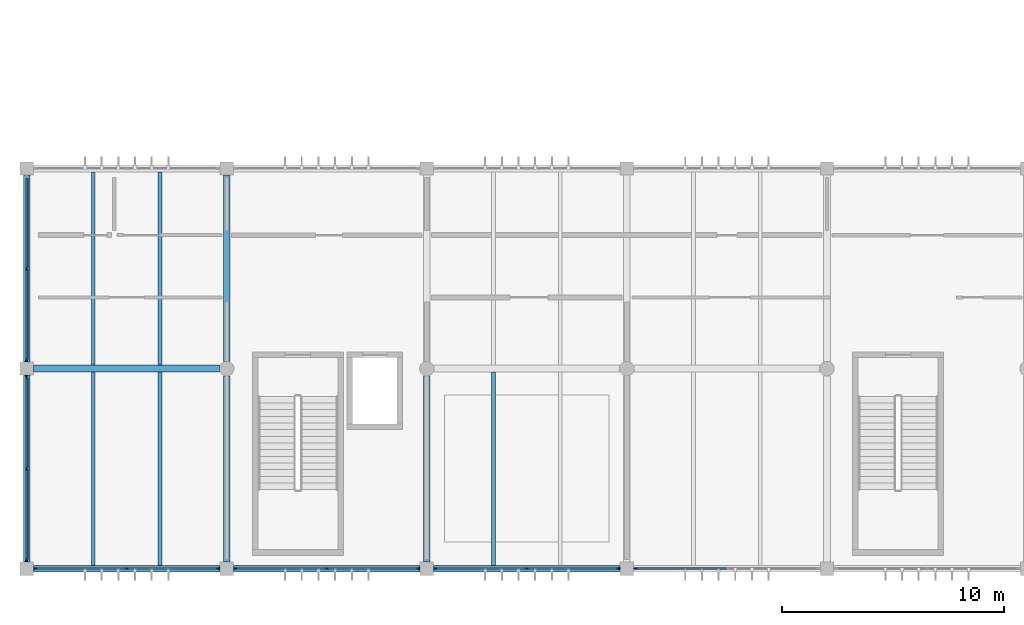
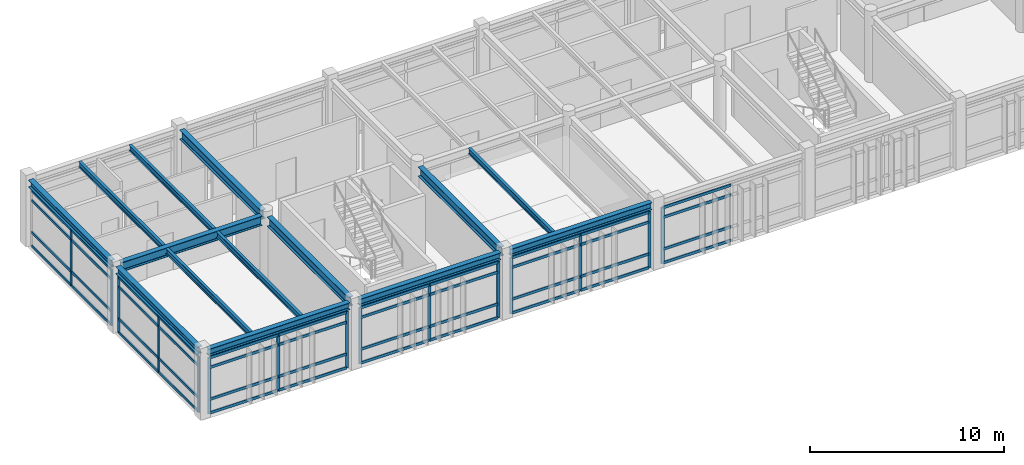
# One storey, part 7 of 55: 59 members, 14 beams, 6 elements without a shape of their own.
"""IFC4 building model written with IfcOpenShell, lengths in metres."""

from ifc_helpers import new_model, si_unit, direction, frame, origin, origin_2d, place, context, subcontext, project, spatial, rectangle, i_section, extrude, material, material_profile, profile_set, type_object, element, aggregate, save


model = new_model("IFC4")

# Units and contexts
model_context = context("Model", 3, precision=1e-05, world=origin(), true_north=direction((0.0, 1.0)))
body_context = subcontext(model_context, "Body", "Model", "MODEL_VIEW")
ifc_project = project(units=[si_unit("LENGTHUNIT", "METRE"), si_unit("AREAUNIT", "SQUARE_METRE"), si_unit("VOLUMEUNIT", "CUBIC_METRE"), si_unit("PLANEANGLEUNIT", "RADIAN"), si_unit("MASSUNIT", "GRAM", prefix="KILO")], contexts=[model_context])

# Site, building, storey
site_placement = place(None, origin())
site = spatial("IfcSite", under=ifc_project, at=site_placement, CompositionType="ELEMENT")
building_placement = place(site_placement, origin())
building = spatial("IfcBuilding", under=site, at=building_placement, Name="Bozkorgan Art Gallery", CompositionType="ELEMENT")
storey_placement = place(building_placement, frame((0.0, 0.0, 15.0)))
storey = spatial("IfcBuildingStorey", under=building, at=storey_placement, Name="L03", CompositionType="ELEMENT", Elevation=15.0)

# Beams
ifc_material_1 = material(Name="Steel S355J2", Category="steel")
ifc_material_profile_1 = material_profile(ifc_material_1, i_section(OverallWidth=0.300048828125, OverallDepth=0.590087890625, WebThickness=0.012939453125, FlangeThickness=0.02490234375, FilletRadius=0.027099609375, at=origin_2d()), Name="HEA 600")
ifc_profile_set_1 = profile_set([ifc_material_profile_1], Name="Steel S355J2")
beam_type_1 = type_object("IfcBeamType", Name="BEAM-BM-49", PredefinedType="BEAM", material=ifc_profile_set_1)
for number, where, z_axis, x_axis, name in (
    (1, (2.300048828125, 11.0, 3.885009765625), (1.0, 0.0, 0.0), (0.0, 1.0, 0.0), "V1 L03 beam X (2-11, 11.0)"),
    (2, (11.0, 2.300048828125, 3.885009765625), (0.0, 1.0, 0.0), (-1.0, 0.0, 0.0), "V1 L03 beam Y (11, 2.0-11.0)"),
    (3, (11.0, 11.324951171875, 3.885009765625), (0.0, 1.0, 0.0), (-1.0, 0.0, 0.0), "V1 L03 beam Y (11, 11.0-20.0)"),
    (4, (20.0, 2.300048828125, 3.885009765625), (0.0, 1.0, 0.0), (-1.0, 0.0, 0.0), "V1 L03 beam Y (20, 2.0-11.0)"),
):
    element("IfcBeam", number, at=place(storey_placement, frame(where, z_axis=z_axis, x_axis=x_axis)), inside=storey, type_object=beam_type_1, Name=name, PredefinedType="BEAM", context=body_context, shape_type="SweptSolid", body=[
        extrude(i_section(OverallWidth=0.300048828125, OverallDepth=0.590087890625, WebThickness=0.012939453125, FlangeThickness=0.02490234375, FilletRadius=0.027099609375, at=origin_2d()), origin(), (0.0, 0.0, 1.0), 8.375),
    ])
ifc_material_profile_2 = material_profile(ifc_material_1, i_section(OverallWidth=0.169921875, OverallDepth=0.360107421875, WebThickness=0.008056640625, FlangeThickness=0.0126953125, FilletRadius=0.01806640625, at=origin_2d()), Name="IPE 360")
ifc_profile_set_2 = profile_set([ifc_material_profile_2], Name="Steel S355J2")
beam_type_2 = type_object("IfcBeamType", Name="BEAM-JS-98", PredefinedType="JOIST", material=ifc_profile_set_2)
for number, where, z_axis, x_axis, name in (
    (5, (5.0, 2.14990234375, 4.0), (0.0, 1.0, 0.0), (-1.0, 0.0, 0.0), "V1 L03 secondary joist (2-11, 2.0-11.0) #1"),
    (6, (8.0, 2.14990234375, 4.0), (0.0, 1.0, 0.0), (-1.0, 0.0, 0.0), "V1 L03 secondary joist (2-11, 2.0-11.0) #2"),
    (7, (5.0, 11.14990234375, 4.0), (0.0, 1.0, 0.0), (-1.0, 0.0, 0.0), "V1 L03 secondary joist (2-11, 11.0-20.0) #1"),
    (8, (8.0, 11.14990234375, 4.0), (0.0, 1.0, 0.0), (-1.0, 0.0, 0.0), "V1 L03 secondary joist (2-11, 11.0-20.0) #2"),
    (9, (23.0, 2.14990234375, 4.0), (0.0, 1.0, 0.0), (-1.0, 0.0, 0.0), "V1 L03 secondary joist (20-29, 2.0-11.0) #1"),
):
    element("IfcBeam", number, at=place(storey_placement, frame(where, z_axis=z_axis, x_axis=x_axis)), inside=storey, type_object=beam_type_2, Name=name, PredefinedType="JOIST", context=body_context, shape_type="SweptSolid", body=[
        extrude(i_section(OverallWidth=0.169921875, OverallDepth=0.360107421875, WebThickness=0.008056640625, FlangeThickness=0.0126953125, FilletRadius=0.01806640625, at=origin_2d()), origin(), (0.0, 0.0, 1.0), 8.7001953125),
    ])
ifc_material_profile_3 = material_profile(ifc_material_1, i_section(OverallWidth=0.300048828125, OverallDepth=0.43994140625, WebThickness=0.011474609375, FlangeThickness=0.02099609375, FilletRadius=0.027099609375, at=origin_2d()), Name="HEA 450")
ifc_profile_set_3 = profile_set([ifc_material_profile_3], Name="Steel S355J2")
beam_type_3 = type_object("IfcBeamType", Name="BEAM-SP-34", PredefinedType="SPANDREL", material=ifc_profile_set_3)
for number, where, z_axis, x_axis, name in (
    (10, (2.300048828125, 2.0, 3.9599609375), (1.0, 0.0, 0.0), (0.0, 1.0, 0.0), "V1 L03 spandrel X (2-11, 2.0)"),
    (11, (11.300048828125, 2.0, 3.9599609375), (1.0, 0.0, 0.0), (0.0, 1.0, 0.0), "V1 L03 spandrel X (11-20, 2.0)"),
    (12, (20.300048828125, 2.0, 3.9599609375), (1.0, 0.0, 0.0), (0.0, 1.0, 0.0), "V1 L03 spandrel X (20-29, 2.0)"),
    (13, (2.0, 2.300048828125, 3.9599609375), (0.0, 1.0, 0.0), (-1.0, 0.0, 0.0), "V1 L03 spandrel Y (2, 2.0-11.0)"),
    (14, (2.0, 11.300048828125, 3.9599609375), (0.0, 1.0, 0.0), (-1.0, 0.0, 0.0), "V1 L03 spandrel Y (2, 11.0-20.0)"),
):
    element("IfcBeam", number, at=place(storey_placement, frame(where, z_axis=z_axis, x_axis=x_axis)), inside=storey, type_object=beam_type_3, Name=name, PredefinedType="SPANDREL", context=body_context, shape_type="SweptSolid", body=[
        extrude(i_section(OverallWidth=0.300048828125, OverallDepth=0.43994140625, WebThickness=0.011474609375, FlangeThickness=0.02099609375, FilletRadius=0.027099609375, at=origin_2d()), origin(), (0.0, 0.0, 1.0), 8.39990234375),
    ])

# Curtain wall, members
ifc_material_2 = material(Name="Anodised Bronze Aluminium", Category="aluminium")
curtain_wall_type = type_object("IfcCurtainWallType", Name="CW-CW-42", PredefinedType="NOTDEFINED", material=ifc_material_2)
curtain_wall_1_placement = place(storey_placement, origin())
curtain_wall_1 = element("IfcCurtainWall", 15, at=curtain_wall_1_placement, inside=storey, type_object=curtain_wall_type, Name="L03 unitised curtain wall CW-V1-L03-1S-01", PredefinedType="NOTDEFINED")
ifc_material_profile_4 = material_profile(ifc_material_2, rectangle(XDim=0.06494140625, YDim=0.179931640625, at=origin_2d()), Name="ALU MULLION 65x180")
ifc_profile_set_4 = profile_set([ifc_material_profile_4], Name="Anodised Bronze Aluminium")
member_type_1 = type_object("IfcMemberType", Name="CWM-01", PredefinedType="MULLION", material=ifc_profile_set_4)
member_1_placement = place(storey_placement, frame((2.3974609375, 2.0, 0.02001953125), z_axis=(0.0, 0.0, 1.0), x_axis=(0.0, 1.0, 0.0)))
member_1 = element("IfcMember", 16, at=member_1_placement, type_object=member_type_1, Name="CW-42 mullion 1", PredefinedType="MULLION", context=body_context, shape_type="SweptSolid", body=[
    extrude(rectangle(XDim=0.06494140625, YDim=0.179931640625, at=origin_2d()), origin(), (0.0, 0.0, 1.0), 3.554931640625),
])
member_2_placement = place(storey_placement, frame((6.5, 2.0, 0.02001953125), z_axis=(0.0, 0.0, 1.0), x_axis=(0.0, 1.0, 0.0)))
member_2 = element("IfcMember", 17, at=member_2_placement, type_object=member_type_1, Name="CW-42 mullion 2", PredefinedType="MULLION", context=body_context, shape_type="SweptSolid", body=[
    extrude(rectangle(XDim=0.06494140625, YDim=0.179931640625, at=origin_2d()), origin(), (0.0, 0.0, 1.0), 3.554931640625),
])
member_3_placement = place(storey_placement, frame((10.6025390625, 2.0, 0.02001953125), z_axis=(0.0, 0.0, 1.0), x_axis=(0.0, 1.0, 0.0)))
member_3 = element("IfcMember", 18, at=member_3_placement, type_object=member_type_1, Name="CW-42 mullion 3", PredefinedType="MULLION", context=body_context, shape_type="SweptSolid", body=[
    extrude(rectangle(XDim=0.06494140625, YDim=0.179931640625, at=origin_2d()), origin(), (0.0, 0.0, 1.0), 3.554931640625),
])

curtain_wall_2_placement = place(storey_placement, origin())
curtain_wall_2 = element("IfcCurtainWall", 19, at=curtain_wall_2_placement, inside=storey, type_object=curtain_wall_type, Name="L03 unitised curtain wall CW-V1-L03-1S-03", PredefinedType="NOTDEFINED")
member_4_placement = place(storey_placement, frame((11.3974609375, 2.0, 0.02001953125), z_axis=(0.0, 0.0, 1.0), x_axis=(0.0, 1.0, 0.0)))
member_4 = element("IfcMember", 20, at=member_4_placement, type_object=member_type_1, Name="CW-42 mullion 1", PredefinedType="MULLION", context=body_context, shape_type="SweptSolid", body=[
    extrude(rectangle(XDim=0.06494140625, YDim=0.179931640625, at=origin_2d()), origin(), (0.0, 0.0, 1.0), 3.554931640625),
])
member_5_placement = place(storey_placement, frame((15.5, 2.0, 0.02001953125), z_axis=(0.0, 0.0, 1.0), x_axis=(0.0, 1.0, 0.0)))
member_5 = element("IfcMember", 21, at=member_5_placement, type_object=member_type_1, Name="CW-42 mullion 2", PredefinedType="MULLION", context=body_context, shape_type="SweptSolid", body=[
    extrude(rectangle(XDim=0.06494140625, YDim=0.179931640625, at=origin_2d()), origin(), (0.0, 0.0, 1.0), 3.554931640625),
])
member_6_placement = place(storey_placement, frame((19.6025390625, 2.0, 0.02001953125), z_axis=(0.0, 0.0, 1.0), x_axis=(0.0, 1.0, 0.0)))
member_6 = element("IfcMember", 22, at=member_6_placement, type_object=member_type_1, Name="CW-42 mullion 3", PredefinedType="MULLION", context=body_context, shape_type="SweptSolid", body=[
    extrude(rectangle(XDim=0.06494140625, YDim=0.179931640625, at=origin_2d()), origin(), (0.0, 0.0, 1.0), 3.554931640625),
])

curtain_wall_3_placement = place(storey_placement, origin())
curtain_wall_3 = element("IfcCurtainWall", 23, at=curtain_wall_3_placement, inside=storey, type_object=curtain_wall_type, Name="L03 unitised curtain wall CW-V1-L03-1S-05", PredefinedType="NOTDEFINED")
member_7_placement = place(storey_placement, frame((20.3974609375, 2.0, 0.02001953125), z_axis=(0.0, 0.0, 1.0), x_axis=(0.0, 1.0, 0.0)))
member_7 = element("IfcMember", 24, at=member_7_placement, type_object=member_type_1, Name="CW-42 mullion 1", PredefinedType="MULLION", context=body_context, shape_type="SweptSolid", body=[
    extrude(rectangle(XDim=0.06494140625, YDim=0.179931640625, at=origin_2d()), origin(), (0.0, 0.0, 1.0), 3.554931640625),
])
member_8_placement = place(storey_placement, frame((24.5, 2.0, 0.02001953125), z_axis=(0.0, 0.0, 1.0), x_axis=(0.0, 1.0, 0.0)))
member_8 = element("IfcMember", 25, at=member_8_placement, type_object=member_type_1, Name="CW-42 mullion 2", PredefinedType="MULLION", context=body_context, shape_type="SweptSolid", body=[
    extrude(rectangle(XDim=0.06494140625, YDim=0.179931640625, at=origin_2d()), origin(), (0.0, 0.0, 1.0), 3.554931640625),
])
member_9_placement = place(storey_placement, frame((28.6025390625, 2.0, 0.02001953125), z_axis=(0.0, 0.0, 1.0), x_axis=(0.0, 1.0, 0.0)))
member_9 = element("IfcMember", 26, at=member_9_placement, type_object=member_type_1, Name="CW-42 mullion 3", PredefinedType="MULLION", context=body_context, shape_type="SweptSolid", body=[
    extrude(rectangle(XDim=0.06494140625, YDim=0.179931640625, at=origin_2d()), origin(), (0.0, 0.0, 1.0), 3.554931640625),
])

# Curtain wall, member
curtain_wall_4_placement = place(storey_placement, origin())
curtain_wall_4 = element("IfcCurtainWall", 27, at=curtain_wall_4_placement, inside=storey, type_object=curtain_wall_type, Name="L03 unitised curtain wall CW-V1-L03-1S-07", PredefinedType="NOTDEFINED")
member_10_placement = place(storey_placement, frame((29.3974609375, 2.0, 0.02001953125), z_axis=(0.0, 0.0, 1.0), x_axis=(0.0, 1.0, 0.0)))
member_10 = element("IfcMember", 28, at=member_10_placement, type_object=member_type_1, Name="CW-42 mullion 1", PredefinedType="MULLION", context=body_context, shape_type="SweptSolid", body=[
    extrude(rectangle(XDim=0.06494140625, YDim=0.179931640625, at=origin_2d()), origin(), (0.0, 0.0, 1.0), 3.554931640625),
])

# Curtain wall, members
curtain_wall_5_placement = place(storey_placement, origin())
curtain_wall_5 = element("IfcCurtainWall", 29, at=curtain_wall_5_placement, inside=storey, type_object=curtain_wall_type, Name="L03 unitised curtain wall CW-V1-L03-1W-15", PredefinedType="NOTDEFINED")
member_11_placement = place(storey_placement, frame((2.0, 2.3974609375, 0.02001953125), z_axis=(0.0, 0.0, 1.0), x_axis=(-1.0, 0.0, 0.0)))
member_11 = element("IfcMember", 30, at=member_11_placement, type_object=member_type_1, Name="CW-42 mullion 1", PredefinedType="MULLION", context=body_context, shape_type="SweptSolid", body=[
    extrude(rectangle(XDim=0.06494140625, YDim=0.179931640625, at=origin_2d()), origin(), (0.0, 0.0, 1.0), 3.554931640625),
])
member_12_placement = place(storey_placement, frame((2.0, 6.5, 0.02001953125), z_axis=(0.0, 0.0, 1.0), x_axis=(-1.0, 0.0, 0.0)))
member_12 = element("IfcMember", 31, at=member_12_placement, type_object=member_type_1, Name="CW-42 mullion 2", PredefinedType="MULLION", context=body_context, shape_type="SweptSolid", body=[
    extrude(rectangle(XDim=0.06494140625, YDim=0.179931640625, at=origin_2d()), origin(), (0.0, 0.0, 1.0), 3.554931640625),
])
member_13_placement = place(storey_placement, frame((2.0, 10.6025390625, 0.02001953125), z_axis=(0.0, 0.0, 1.0), x_axis=(-1.0, 0.0, 0.0)))
member_13 = element("IfcMember", 32, at=member_13_placement, type_object=member_type_1, Name="CW-42 mullion 3", PredefinedType="MULLION", context=body_context, shape_type="SweptSolid", body=[
    extrude(rectangle(XDim=0.06494140625, YDim=0.179931640625, at=origin_2d()), origin(), (0.0, 0.0, 1.0), 3.554931640625),
])

curtain_wall_6_placement = place(storey_placement, origin())
curtain_wall_6 = element("IfcCurtainWall", 33, at=curtain_wall_6_placement, inside=storey, type_object=curtain_wall_type, Name="L03 unitised curtain wall CW-V1-L03-1W-17", PredefinedType="NOTDEFINED")
member_14_placement = place(storey_placement, frame((2.0, 11.3974609375, 0.02001953125), z_axis=(0.0, 0.0, 1.0), x_axis=(-1.0, 0.0, 0.0)))
member_14 = element("IfcMember", 34, at=member_14_placement, type_object=member_type_1, Name="CW-42 mullion 1", PredefinedType="MULLION", context=body_context, shape_type="SweptSolid", body=[
    extrude(rectangle(XDim=0.06494140625, YDim=0.179931640625, at=origin_2d()), origin(), (0.0, 0.0, 1.0), 3.554931640625),
])
member_15_placement = place(storey_placement, frame((2.0, 15.5, 0.02001953125), z_axis=(0.0, 0.0, 1.0), x_axis=(-1.0, 0.0, 0.0)))
member_15 = element("IfcMember", 35, at=member_15_placement, type_object=member_type_1, Name="CW-42 mullion 2", PredefinedType="MULLION", context=body_context, shape_type="SweptSolid", body=[
    extrude(rectangle(XDim=0.06494140625, YDim=0.179931640625, at=origin_2d()), origin(), (0.0, 0.0, 1.0), 3.554931640625),
])

# Member
ifc_material_profile_5 = material_profile(ifc_material_2, rectangle(XDim=0.074951171875, YDim=0.169921875, at=origin_2d()), Name="ALU TRANSOM 75x170")
ifc_profile_set_5 = profile_set([ifc_material_profile_5], Name="Anodised Bronze Aluminium")
member_type_2 = type_object("IfcMemberType", Name="CWT-02", PredefinedType="USERDEFINED", material=ifc_profile_set_5)
member_16_placement = place(storey_placement, frame((2.429931640625, 2.0, 0.0576171875), z_axis=(1.0, 0.0, 0.0), x_axis=(0.0, 1.0, 0.0)))
member_16 = element("IfcMember", 36, at=member_16_placement, type_object=member_type_2, Name="CW-42 transom 1.1", ObjectType="TRANSOM", PredefinedType="USERDEFINED", context=body_context, shape_type="SweptSolid", body=[
    extrude(rectangle(XDim=0.074951171875, YDim=0.169921875, at=origin_2d()), origin(), (0.0, 0.0, 1.0), 4.03759765625),
])

member_17_placement = place(storey_placement, frame((2.429931640625, 2.0, 0.919921875), z_axis=(1.0, 0.0, 0.0), x_axis=(0.0, 1.0, 0.0)))
member_17 = element("IfcMember", 37, at=member_17_placement, type_object=member_type_2, Name="CW-42 transom 1.2", ObjectType="TRANSOM", PredefinedType="USERDEFINED", context=body_context, shape_type="SweptSolid", body=[
    extrude(rectangle(XDim=0.074951171875, YDim=0.169921875, at=origin_2d()), origin(), (0.0, 0.0, 1.0), 4.03759765625),
])

member_18_placement = place(storey_placement, frame((2.429931640625, 2.0, 2.925048828125), z_axis=(1.0, 0.0, 0.0), x_axis=(0.0, 1.0, 0.0)))
member_18 = element("IfcMember", 38, at=member_18_placement, type_object=member_type_2, Name="CW-42 transom 1.3", ObjectType="TRANSOM", PredefinedType="USERDEFINED", context=body_context, shape_type="SweptSolid", body=[
    extrude(rectangle(XDim=0.074951171875, YDim=0.169921875, at=origin_2d()), origin(), (0.0, 0.0, 1.0), 4.03759765625),
])

member_19_placement = place(storey_placement, frame((2.429931640625, 2.0, 3.53759765625), z_axis=(1.0, 0.0, 0.0), x_axis=(0.0, 1.0, 0.0)))
member_19 = element("IfcMember", 39, at=member_19_placement, type_object=member_type_2, Name="CW-42 transom 1.4", ObjectType="TRANSOM", PredefinedType="USERDEFINED", context=body_context, shape_type="SweptSolid", body=[
    extrude(rectangle(XDim=0.074951171875, YDim=0.169921875, at=origin_2d()), origin(), (0.0, 0.0, 1.0), 4.03759765625),
])

member_20_placement = place(storey_placement, frame((6.532470703125, 2.0, 0.0576171875), z_axis=(1.0, 0.0, 0.0), x_axis=(0.0, 1.0, 0.0)))
member_20 = element("IfcMember", 40, at=member_20_placement, type_object=member_type_2, Name="CW-42 transom 2.1", ObjectType="TRANSOM", PredefinedType="USERDEFINED", context=body_context, shape_type="SweptSolid", body=[
    extrude(rectangle(XDim=0.074951171875, YDim=0.169921875, at=origin_2d()), origin(), (0.0, 0.0, 1.0), 4.03759765625),
])

member_21_placement = place(storey_placement, frame((6.532470703125, 2.0, 0.919921875), z_axis=(1.0, 0.0, 0.0), x_axis=(0.0, 1.0, 0.0)))
member_21 = element("IfcMember", 41, at=member_21_placement, type_object=member_type_2, Name="CW-42 transom 2.2", ObjectType="TRANSOM", PredefinedType="USERDEFINED", context=body_context, shape_type="SweptSolid", body=[
    extrude(rectangle(XDim=0.074951171875, YDim=0.169921875, at=origin_2d()), origin(), (0.0, 0.0, 1.0), 4.03759765625),
])

member_22_placement = place(storey_placement, frame((6.532470703125, 2.0, 2.925048828125), z_axis=(1.0, 0.0, 0.0), x_axis=(0.0, 1.0, 0.0)))
member_22 = element("IfcMember", 42, at=member_22_placement, type_object=member_type_2, Name="CW-42 transom 2.3", ObjectType="TRANSOM", PredefinedType="USERDEFINED", context=body_context, shape_type="SweptSolid", body=[
    extrude(rectangle(XDim=0.074951171875, YDim=0.169921875, at=origin_2d()), origin(), (0.0, 0.0, 1.0), 4.03759765625),
])

member_23_placement = place(storey_placement, frame((6.532470703125, 2.0, 3.53759765625), z_axis=(1.0, 0.0, 0.0), x_axis=(0.0, 1.0, 0.0)))
member_23 = element("IfcMember", 43, at=member_23_placement, type_object=member_type_2, Name="CW-42 transom 2.4", ObjectType="TRANSOM", PredefinedType="USERDEFINED", context=body_context, shape_type="SweptSolid", body=[
    extrude(rectangle(XDim=0.074951171875, YDim=0.169921875, at=origin_2d()), origin(), (0.0, 0.0, 1.0), 4.03759765625),
])

aggregate(curtain_wall_1, [member_1, member_2, member_3, member_16, member_17, member_18, member_19, member_20, member_21, member_22, member_23])

member_24_placement = place(storey_placement, frame((11.429931640625, 2.0, 0.0576171875), z_axis=(1.0, 0.0, 0.0), x_axis=(0.0, 1.0, 0.0)))
member_24 = element("IfcMember", 44, at=member_24_placement, type_object=member_type_2, Name="CW-42 transom 1.1", ObjectType="TRANSOM", PredefinedType="USERDEFINED", context=body_context, shape_type="SweptSolid", body=[
    extrude(rectangle(XDim=0.074951171875, YDim=0.169921875, at=origin_2d()), origin(), (0.0, 0.0, 1.0), 4.03759765625),
])

member_25_placement = place(storey_placement, frame((11.429931640625, 2.0, 0.919921875), z_axis=(1.0, 0.0, 0.0), x_axis=(0.0, 1.0, 0.0)))
member_25 = element("IfcMember", 45, at=member_25_placement, type_object=member_type_2, Name="CW-42 transom 1.2", ObjectType="TRANSOM", PredefinedType="USERDEFINED", context=body_context, shape_type="SweptSolid", body=[
    extrude(rectangle(XDim=0.074951171875, YDim=0.169921875, at=origin_2d()), origin(), (0.0, 0.0, 1.0), 4.03759765625),
])

member_26_placement = place(storey_placement, frame((11.429931640625, 2.0, 2.925048828125), z_axis=(1.0, 0.0, 0.0), x_axis=(0.0, 1.0, 0.0)))
member_26 = element("IfcMember", 46, at=member_26_placement, type_object=member_type_2, Name="CW-42 transom 1.3", ObjectType="TRANSOM", PredefinedType="USERDEFINED", context=body_context, shape_type="SweptSolid", body=[
    extrude(rectangle(XDim=0.074951171875, YDim=0.169921875, at=origin_2d()), origin(), (0.0, 0.0, 1.0), 4.03759765625),
])

member_27_placement = place(storey_placement, frame((11.429931640625, 2.0, 3.53759765625), z_axis=(1.0, 0.0, 0.0), x_axis=(0.0, 1.0, 0.0)))
member_27 = element("IfcMember", 47, at=member_27_placement, type_object=member_type_2, Name="CW-42 transom 1.4", ObjectType="TRANSOM", PredefinedType="USERDEFINED", context=body_context, shape_type="SweptSolid", body=[
    extrude(rectangle(XDim=0.074951171875, YDim=0.169921875, at=origin_2d()), origin(), (0.0, 0.0, 1.0), 4.03759765625),
])

member_28_placement = place(storey_placement, frame((15.532470703125, 2.0, 0.0576171875), z_axis=(1.0, 0.0, 0.0), x_axis=(0.0, 1.0, 0.0)))
member_28 = element("IfcMember", 48, at=member_28_placement, type_object=member_type_2, Name="CW-42 transom 2.1", ObjectType="TRANSOM", PredefinedType="USERDEFINED", context=body_context, shape_type="SweptSolid", body=[
    extrude(rectangle(XDim=0.074951171875, YDim=0.169921875, at=origin_2d()), origin(), (0.0, 0.0, 1.0), 4.03759765625),
])

member_29_placement = place(storey_placement, frame((15.532470703125, 2.0, 0.919921875), z_axis=(1.0, 0.0, 0.0), x_axis=(0.0, 1.0, 0.0)))
member_29 = element("IfcMember", 49, at=member_29_placement, type_object=member_type_2, Name="CW-42 transom 2.2", ObjectType="TRANSOM", PredefinedType="USERDEFINED", context=body_context, shape_type="SweptSolid", body=[
    extrude(rectangle(XDim=0.074951171875, YDim=0.169921875, at=origin_2d()), origin(), (0.0, 0.0, 1.0), 4.03759765625),
])

member_30_placement = place(storey_placement, frame((15.532470703125, 2.0, 2.925048828125), z_axis=(1.0, 0.0, 0.0), x_axis=(0.0, 1.0, 0.0)))
member_30 = element("IfcMember", 50, at=member_30_placement, type_object=member_type_2, Name="CW-42 transom 2.3", ObjectType="TRANSOM", PredefinedType="USERDEFINED", context=body_context, shape_type="SweptSolid", body=[
    extrude(rectangle(XDim=0.074951171875, YDim=0.169921875, at=origin_2d()), origin(), (0.0, 0.0, 1.0), 4.03759765625),
])

member_31_placement = place(storey_placement, frame((15.532470703125, 2.0, 3.53759765625), z_axis=(1.0, 0.0, 0.0), x_axis=(0.0, 1.0, 0.0)))
member_31 = element("IfcMember", 51, at=member_31_placement, type_object=member_type_2, Name="CW-42 transom 2.4", ObjectType="TRANSOM", PredefinedType="USERDEFINED", context=body_context, shape_type="SweptSolid", body=[
    extrude(rectangle(XDim=0.074951171875, YDim=0.169921875, at=origin_2d()), origin(), (0.0, 0.0, 1.0), 4.03759765625),
])

aggregate(curtain_wall_2, [member_4, member_5, member_6, member_24, member_25, member_26, member_27, member_28, member_29, member_30, member_31])

member_32_placement = place(storey_placement, frame((20.429931640625, 2.0, 0.0576171875), z_axis=(1.0, 0.0, 0.0), x_axis=(0.0, 1.0, 0.0)))
member_32 = element("IfcMember", 52, at=member_32_placement, type_object=member_type_2, Name="CW-42 transom 1.1", ObjectType="TRANSOM", PredefinedType="USERDEFINED", context=body_context, shape_type="SweptSolid", body=[
    extrude(rectangle(XDim=0.074951171875, YDim=0.169921875, at=origin_2d()), origin(), (0.0, 0.0, 1.0), 4.03759765625),
])

member_33_placement = place(storey_placement, frame((20.429931640625, 2.0, 0.919921875), z_axis=(1.0, 0.0, 0.0), x_axis=(0.0, 1.0, 0.0)))
member_33 = element("IfcMember", 53, at=member_33_placement, type_object=member_type_2, Name="CW-42 transom 1.2", ObjectType="TRANSOM", PredefinedType="USERDEFINED", context=body_context, shape_type="SweptSolid", body=[
    extrude(rectangle(XDim=0.074951171875, YDim=0.169921875, at=origin_2d()), origin(), (0.0, 0.0, 1.0), 4.03759765625),
])

member_34_placement = place(storey_placement, frame((20.429931640625, 2.0, 2.925048828125), z_axis=(1.0, 0.0, 0.0), x_axis=(0.0, 1.0, 0.0)))
member_34 = element("IfcMember", 54, at=member_34_placement, type_object=member_type_2, Name="CW-42 transom 1.3", ObjectType="TRANSOM", PredefinedType="USERDEFINED", context=body_context, shape_type="SweptSolid", body=[
    extrude(rectangle(XDim=0.074951171875, YDim=0.169921875, at=origin_2d()), origin(), (0.0, 0.0, 1.0), 4.03759765625),
])

member_35_placement = place(storey_placement, frame((20.429931640625, 2.0, 3.53759765625), z_axis=(1.0, 0.0, 0.0), x_axis=(0.0, 1.0, 0.0)))
member_35 = element("IfcMember", 55, at=member_35_placement, type_object=member_type_2, Name="CW-42 transom 1.4", ObjectType="TRANSOM", PredefinedType="USERDEFINED", context=body_context, shape_type="SweptSolid", body=[
    extrude(rectangle(XDim=0.074951171875, YDim=0.169921875, at=origin_2d()), origin(), (0.0, 0.0, 1.0), 4.03759765625),
])

member_36_placement = place(storey_placement, frame((24.532470703125, 2.0, 0.0576171875), z_axis=(1.0, 0.0, 0.0), x_axis=(0.0, 1.0, 0.0)))
member_36 = element("IfcMember", 56, at=member_36_placement, type_object=member_type_2, Name="CW-42 transom 2.1", ObjectType="TRANSOM", PredefinedType="USERDEFINED", context=body_context, shape_type="SweptSolid", body=[
    extrude(rectangle(XDim=0.074951171875, YDim=0.169921875, at=origin_2d()), origin(), (0.0, 0.0, 1.0), 4.03759765625),
])

member_37_placement = place(storey_placement, frame((24.532470703125, 2.0, 0.919921875), z_axis=(1.0, 0.0, 0.0), x_axis=(0.0, 1.0, 0.0)))
member_37 = element("IfcMember", 57, at=member_37_placement, type_object=member_type_2, Name="CW-42 transom 2.2", ObjectType="TRANSOM", PredefinedType="USERDEFINED", context=body_context, shape_type="SweptSolid", body=[
    extrude(rectangle(XDim=0.074951171875, YDim=0.169921875, at=origin_2d()), origin(), (0.0, 0.0, 1.0), 4.03759765625),
])

member_38_placement = place(storey_placement, frame((24.532470703125, 2.0, 2.925048828125), z_axis=(1.0, 0.0, 0.0), x_axis=(0.0, 1.0, 0.0)))
member_38 = element("IfcMember", 58, at=member_38_placement, type_object=member_type_2, Name="CW-42 transom 2.3", ObjectType="TRANSOM", PredefinedType="USERDEFINED", context=body_context, shape_type="SweptSolid", body=[
    extrude(rectangle(XDim=0.074951171875, YDim=0.169921875, at=origin_2d()), origin(), (0.0, 0.0, 1.0), 4.03759765625),
])

member_39_placement = place(storey_placement, frame((24.532470703125, 2.0, 3.53759765625), z_axis=(1.0, 0.0, 0.0), x_axis=(0.0, 1.0, 0.0)))
member_39 = element("IfcMember", 59, at=member_39_placement, type_object=member_type_2, Name="CW-42 transom 2.4", ObjectType="TRANSOM", PredefinedType="USERDEFINED", context=body_context, shape_type="SweptSolid", body=[
    extrude(rectangle(XDim=0.074951171875, YDim=0.169921875, at=origin_2d()), origin(), (0.0, 0.0, 1.0), 4.03759765625),
])

aggregate(curtain_wall_3, [member_7, member_8, member_9, member_32, member_33, member_34, member_35, member_36, member_37, member_38, member_39])

member_40_placement = place(storey_placement, frame((29.429931640625, 2.0, 0.0576171875), z_axis=(1.0, 0.0, 0.0), x_axis=(0.0, 1.0, 0.0)))
member_40 = element("IfcMember", 60, at=member_40_placement, type_object=member_type_2, Name="CW-42 transom 1.1", ObjectType="TRANSOM", PredefinedType="USERDEFINED", context=body_context, shape_type="SweptSolid", body=[
    extrude(rectangle(XDim=0.074951171875, YDim=0.169921875, at=origin_2d()), origin(), (0.0, 0.0, 1.0), 4.03759765625),
])

member_41_placement = place(storey_placement, frame((29.429931640625, 2.0, 0.919921875), z_axis=(1.0, 0.0, 0.0), x_axis=(0.0, 1.0, 0.0)))
member_41 = element("IfcMember", 61, at=member_41_placement, type_object=member_type_2, Name="CW-42 transom 1.2", ObjectType="TRANSOM", PredefinedType="USERDEFINED", context=body_context, shape_type="SweptSolid", body=[
    extrude(rectangle(XDim=0.074951171875, YDim=0.169921875, at=origin_2d()), origin(), (0.0, 0.0, 1.0), 4.03759765625),
])

member_42_placement = place(storey_placement, frame((29.429931640625, 2.0, 2.925048828125), z_axis=(1.0, 0.0, 0.0), x_axis=(0.0, 1.0, 0.0)))
member_42 = element("IfcMember", 62, at=member_42_placement, type_object=member_type_2, Name="CW-42 transom 1.3", ObjectType="TRANSOM", PredefinedType="USERDEFINED", context=body_context, shape_type="SweptSolid", body=[
    extrude(rectangle(XDim=0.074951171875, YDim=0.169921875, at=origin_2d()), origin(), (0.0, 0.0, 1.0), 4.03759765625),
])

member_43_placement = place(storey_placement, frame((29.429931640625, 2.0, 3.53759765625), z_axis=(1.0, 0.0, 0.0), x_axis=(0.0, 1.0, 0.0)))
member_43 = element("IfcMember", 63, at=member_43_placement, type_object=member_type_2, Name="CW-42 transom 1.4", ObjectType="TRANSOM", PredefinedType="USERDEFINED", context=body_context, shape_type="SweptSolid", body=[
    extrude(rectangle(XDim=0.074951171875, YDim=0.169921875, at=origin_2d()), origin(), (0.0, 0.0, 1.0), 4.03759765625),
])

aggregate(curtain_wall_4, [member_10, member_40, member_41, member_42, member_43])

member_44_placement = place(storey_placement, frame((2.0, 2.429931640625, 0.0576171875), z_axis=(0.0, 1.0, 0.0), x_axis=(-1.0, 0.0, 0.0)))
member_44 = element("IfcMember", 64, at=member_44_placement, type_object=member_type_2, Name="CW-42 transom 1.1", ObjectType="TRANSOM", PredefinedType="USERDEFINED", context=body_context, shape_type="SweptSolid", body=[
    extrude(rectangle(XDim=0.074951171875, YDim=0.169921875, at=origin_2d()), origin(), (0.0, 0.0, 1.0), 4.03759765625),
])

member_45_placement = place(storey_placement, frame((2.0, 2.429931640625, 0.919921875), z_axis=(0.0, 1.0, 0.0), x_axis=(-1.0, 0.0, 0.0)))
member_45 = element("IfcMember", 65, at=member_45_placement, type_object=member_type_2, Name="CW-42 transom 1.2", ObjectType="TRANSOM", PredefinedType="USERDEFINED", context=body_context, shape_type="SweptSolid", body=[
    extrude(rectangle(XDim=0.074951171875, YDim=0.169921875, at=origin_2d()), origin(), (0.0, 0.0, 1.0), 4.03759765625),
])

member_46_placement = place(storey_placement, frame((2.0, 2.429931640625, 2.925048828125), z_axis=(0.0, 1.0, 0.0), x_axis=(-1.0, 0.0, 0.0)))
member_46 = element("IfcMember", 66, at=member_46_placement, type_object=member_type_2, Name="CW-42 transom 1.3", ObjectType="TRANSOM", PredefinedType="USERDEFINED", context=body_context, shape_type="SweptSolid", body=[
    extrude(rectangle(XDim=0.074951171875, YDim=0.169921875, at=origin_2d()), origin(), (0.0, 0.0, 1.0), 4.03759765625),
])

member_47_placement = place(storey_placement, frame((2.0, 2.429931640625, 3.53759765625), z_axis=(0.0, 1.0, 0.0), x_axis=(-1.0, 0.0, 0.0)))
member_47 = element("IfcMember", 67, at=member_47_placement, type_object=member_type_2, Name="CW-42 transom 1.4", ObjectType="TRANSOM", PredefinedType="USERDEFINED", context=body_context, shape_type="SweptSolid", body=[
    extrude(rectangle(XDim=0.074951171875, YDim=0.169921875, at=origin_2d()), origin(), (0.0, 0.0, 1.0), 4.03759765625),
])

member_48_placement = place(storey_placement, frame((2.0, 6.532470703125, 0.0576171875), z_axis=(0.0, 1.0, 0.0), x_axis=(-1.0, 0.0, 0.0)))
member_48 = element("IfcMember", 68, at=member_48_placement, type_object=member_type_2, Name="CW-42 transom 2.1", ObjectType="TRANSOM", PredefinedType="USERDEFINED", context=body_context, shape_type="SweptSolid", body=[
    extrude(rectangle(XDim=0.074951171875, YDim=0.169921875, at=origin_2d()), origin(), (0.0, 0.0, 1.0), 4.03759765625),
])

member_49_placement = place(storey_placement, frame((2.0, 6.532470703125, 0.919921875), z_axis=(0.0, 1.0, 0.0), x_axis=(-1.0, 0.0, 0.0)))
member_49 = element("IfcMember", 69, at=member_49_placement, type_object=member_type_2, Name="CW-42 transom 2.2", ObjectType="TRANSOM", PredefinedType="USERDEFINED", context=body_context, shape_type="SweptSolid", body=[
    extrude(rectangle(XDim=0.074951171875, YDim=0.169921875, at=origin_2d()), origin(), (0.0, 0.0, 1.0), 4.03759765625),
])

member_50_placement = place(storey_placement, frame((2.0, 6.532470703125, 2.925048828125), z_axis=(0.0, 1.0, 0.0), x_axis=(-1.0, 0.0, 0.0)))
member_50 = element("IfcMember", 70, at=member_50_placement, type_object=member_type_2, Name="CW-42 transom 2.3", ObjectType="TRANSOM", PredefinedType="USERDEFINED", context=body_context, shape_type="SweptSolid", body=[
    extrude(rectangle(XDim=0.074951171875, YDim=0.169921875, at=origin_2d()), origin(), (0.0, 0.0, 1.0), 4.03759765625),
])

member_51_placement = place(storey_placement, frame((2.0, 6.532470703125, 3.53759765625), z_axis=(0.0, 1.0, 0.0), x_axis=(-1.0, 0.0, 0.0)))
member_51 = element("IfcMember", 71, at=member_51_placement, type_object=member_type_2, Name="CW-42 transom 2.4", ObjectType="TRANSOM", PredefinedType="USERDEFINED", context=body_context, shape_type="SweptSolid", body=[
    extrude(rectangle(XDim=0.074951171875, YDim=0.169921875, at=origin_2d()), origin(), (0.0, 0.0, 1.0), 4.03759765625),
])

aggregate(curtain_wall_5, [member_11, member_12, member_13, member_44, member_45, member_46, member_47, member_48, member_49, member_50, member_51])

member_52_placement = place(storey_placement, frame((2.0, 11.429931640625, 0.0576171875), z_axis=(0.0, 1.0, 0.0), x_axis=(-1.0, 0.0, 0.0)))
member_52 = element("IfcMember", 72, at=member_52_placement, type_object=member_type_2, Name="CW-42 transom 1.1", ObjectType="TRANSOM", PredefinedType="USERDEFINED", context=body_context, shape_type="SweptSolid", body=[
    extrude(rectangle(XDim=0.074951171875, YDim=0.169921875, at=origin_2d()), origin(), (0.0, 0.0, 1.0), 4.03759765625),
])

member_53_placement = place(storey_placement, frame((2.0, 11.429931640625, 0.919921875), z_axis=(0.0, 1.0, 0.0), x_axis=(-1.0, 0.0, 0.0)))
member_53 = element("IfcMember", 73, at=member_53_placement, type_object=member_type_2, Name="CW-42 transom 1.2", ObjectType="TRANSOM", PredefinedType="USERDEFINED", context=body_context, shape_type="SweptSolid", body=[
    extrude(rectangle(XDim=0.074951171875, YDim=0.169921875, at=origin_2d()), origin(), (0.0, 0.0, 1.0), 4.03759765625),
])

member_54_placement = place(storey_placement, frame((2.0, 11.429931640625, 2.925048828125), z_axis=(0.0, 1.0, 0.0), x_axis=(-1.0, 0.0, 0.0)))
member_54 = element("IfcMember", 74, at=member_54_placement, type_object=member_type_2, Name="CW-42 transom 1.3", ObjectType="TRANSOM", PredefinedType="USERDEFINED", context=body_context, shape_type="SweptSolid", body=[
    extrude(rectangle(XDim=0.074951171875, YDim=0.169921875, at=origin_2d()), origin(), (0.0, 0.0, 1.0), 4.03759765625),
])

member_55_placement = place(storey_placement, frame((2.0, 11.429931640625, 3.53759765625), z_axis=(0.0, 1.0, 0.0), x_axis=(-1.0, 0.0, 0.0)))
member_55 = element("IfcMember", 75, at=member_55_placement, type_object=member_type_2, Name="CW-42 transom 1.4", ObjectType="TRANSOM", PredefinedType="USERDEFINED", context=body_context, shape_type="SweptSolid", body=[
    extrude(rectangle(XDim=0.074951171875, YDim=0.169921875, at=origin_2d()), origin(), (0.0, 0.0, 1.0), 4.03759765625),
])

member_56_placement = place(storey_placement, frame((2.0, 15.532470703125, 0.0576171875), z_axis=(0.0, 1.0, 0.0), x_axis=(-1.0, 0.0, 0.0)))
member_56 = element("IfcMember", 76, at=member_56_placement, type_object=member_type_2, Name="CW-42 transom 2.1", ObjectType="TRANSOM", PredefinedType="USERDEFINED", context=body_context, shape_type="SweptSolid", body=[
    extrude(rectangle(XDim=0.074951171875, YDim=0.169921875, at=origin_2d()), origin(), (0.0, 0.0, 1.0), 4.03759765625),
])

member_57_placement = place(storey_placement, frame((2.0, 15.532470703125, 0.919921875), z_axis=(0.0, 1.0, 0.0), x_axis=(-1.0, 0.0, 0.0)))
member_57 = element("IfcMember", 77, at=member_57_placement, type_object=member_type_2, Name="CW-42 transom 2.2", ObjectType="TRANSOM", PredefinedType="USERDEFINED", context=body_context, shape_type="SweptSolid", body=[
    extrude(rectangle(XDim=0.074951171875, YDim=0.169921875, at=origin_2d()), origin(), (0.0, 0.0, 1.0), 4.03759765625),
])

member_58_placement = place(storey_placement, frame((2.0, 15.532470703125, 2.925048828125), z_axis=(0.0, 1.0, 0.0), x_axis=(-1.0, 0.0, 0.0)))
member_58 = element("IfcMember", 78, at=member_58_placement, type_object=member_type_2, Name="CW-42 transom 2.3", ObjectType="TRANSOM", PredefinedType="USERDEFINED", context=body_context, shape_type="SweptSolid", body=[
    extrude(rectangle(XDim=0.074951171875, YDim=0.169921875, at=origin_2d()), origin(), (0.0, 0.0, 1.0), 4.03759765625),
])

member_59_placement = place(storey_placement, frame((2.0, 15.532470703125, 3.53759765625), z_axis=(0.0, 1.0, 0.0), x_axis=(-1.0, 0.0, 0.0)))
member_59 = element("IfcMember", 79, at=member_59_placement, type_object=member_type_2, Name="CW-42 transom 2.4", ObjectType="TRANSOM", PredefinedType="USERDEFINED", context=body_context, shape_type="SweptSolid", body=[
    extrude(rectangle(XDim=0.074951171875, YDim=0.169921875, at=origin_2d()), origin(), (0.0, 0.0, 1.0), 4.03759765625),
])

aggregate(curtain_wall_6, [member_14, member_15, member_52, member_53, member_54, member_55, member_56, member_57, member_58, member_59])

save(model, "model.ifc")
